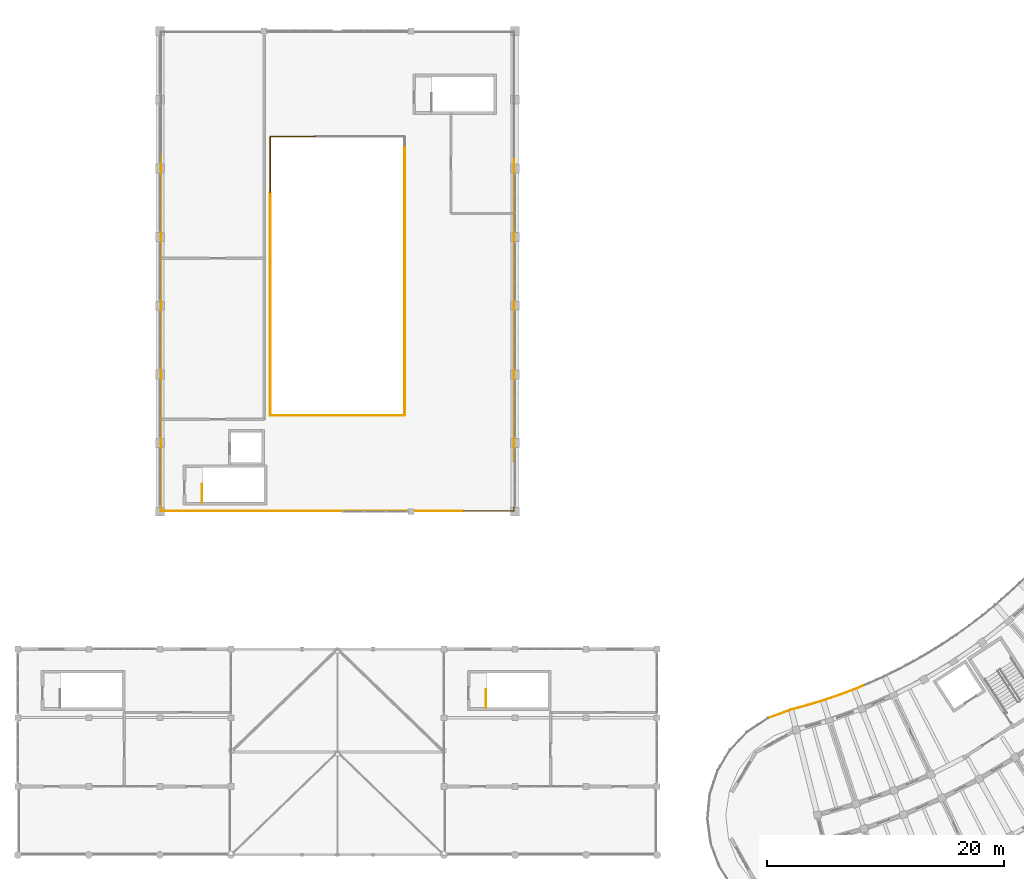
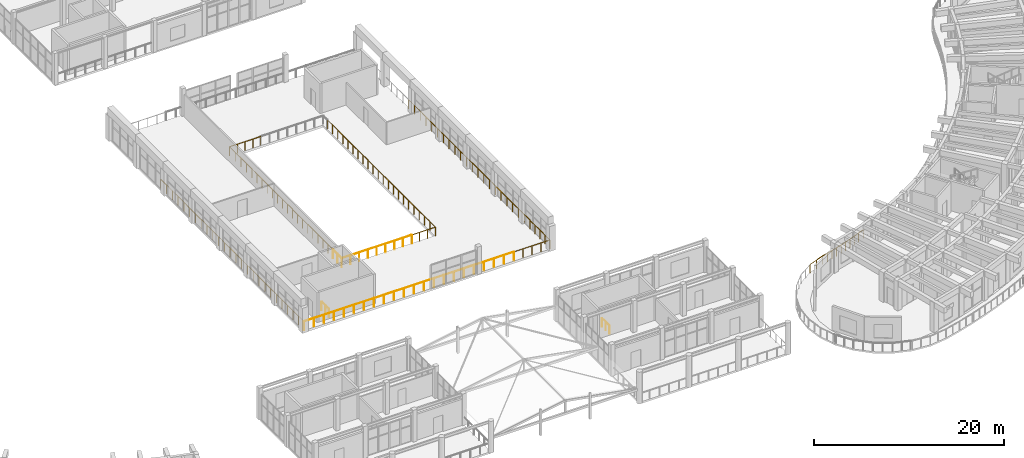
# One storey, part 112 of 128: 22 railings.
"""IFC4 building model written with IfcOpenShell, lengths in metres."""

from ifc_helpers import new_model, si_unit, direction, frame, origin, origin_2d, place, context, subcontext, project, spatial, circle, extrude, material, type_object, element, save


model = new_model("IFC4")

# Units and contexts
model_context = context("Model", 3, precision=1e-05, world=origin(), true_north=direction((0.0, 1.0)))
body_context = subcontext(model_context, "Body", "Model", "MODEL_VIEW")
ifc_project = project(units=[si_unit("LENGTHUNIT", "METRE"), si_unit("AREAUNIT", "SQUARE_METRE"), si_unit("VOLUMEUNIT", "CUBIC_METRE"), si_unit("PLANEANGLEUNIT", "RADIAN"), si_unit("MASSUNIT", "GRAM", prefix="KILO")], contexts=[model_context])

# Site, building, storey
site_placement = place(None, origin())
site = spatial("IfcSite", under=ifc_project, at=site_placement, CompositionType="ELEMENT")
building_placement = place(site_placement, origin())
building = spatial("IfcBuilding", under=site, at=building_placement, Name="Tanwirah Colonnade Gardens", CompositionType="ELEMENT")
storey_placement = place(building_placement, frame((0.0, 0.0, 4.760009765625)))
storey = spatial("IfcBuildingStorey", under=building, at=storey_placement, Name="L01", CompositionType="ELEMENT", Elevation=4.760009765625)

# Railings
ifc_material_1 = material(Name="Precast concrete C40/50", Category="concrete")
railing_type_1 = type_object("IfcRailingType", Name="BAL-EXT110", PredefinedType="BALUSTRADE", material=ifc_material_1)
railing_1_placement = place(storey_placement, frame((129.36962890625, 22.35888671875, 0.0)))
element("IfcRailing", 1, at=railing_1_placement, inside=storey, type_object=railing_type_1, Name="Block D L01 Balcony Ribbon Balustrade 1", PredefinedType="BALUSTRADE", context=body_context, shape_type="SweptSolid", body=[
    extrude(circle(Radius=0.02392578125, at=origin_2d()), frame((0.029296875, 0.010986328125, 1.076171875), z_axis=(0.937103821965, 0.349050751121, 0.0), x_axis=(-0.349050751121, 0.937103821965, 0.0)), (0.0, 0.0, 1.0), 2.029541015625),
    extrude(circle(Radius=0.02392578125, at=origin_2d()), frame((1.99072265625, 0.73828125, 1.076171875), z_axis=(0.96619995466, 0.257793808332, 0.0), x_axis=(-0.257793808332, 0.96619995466, 0.0)), (0.0, 0.0, 1.0), 1.32763671875),
    extrude(circle(Radius=0.02392578125, at=origin_2d()), frame((3.33642578125, 1.098388671875, 1.076171875), z_axis=(0.957270084886, 0.289195408993, 0.0), x_axis=(-0.289195408993, 0.957270084886, 0.0)), (0.0, 0.0, 1.0), 1.331298828125),
    extrude(circle(Radius=0.02392578125, at=origin_2d()), frame((4.6728515625, 1.503173828125, 1.076171875), z_axis=(0.947255234668, 0.320480140404, 0.0), x_axis=(-0.320480140404, 0.947255234668, 0.0)), (0.0, 0.0, 1.0), 1.33154296875),
    extrude(circle(Radius=0.02392578125, at=origin_2d()), frame((5.99560546875, 1.951904296875, 1.076171875), z_axis=(0.936314781462, 0.351161828813, 0.0), x_axis=(-0.351161828813, 0.936314781462, 0.0)), (0.0, 0.0, 1.0), 1.33154296875),
    extrude(circle(Radius=0.02392578125, at=origin_2d()), frame((7.302734375, 2.443359375, 1.076171875), z_axis=(0.924297734164, 0.38167223978, 0.0), x_axis=(-0.38167223978, 0.924297734164, 0.0)), (0.0, 0.0, 1.0), 0.7626953125),
    extrude(circle(Radius=0.02099609375, at=origin_2d()), origin(), (0.0, 0.0, 1.0), 1.049072265625),
    extrude(circle(Radius=0.02099609375, at=origin_2d()), frame((0.980224609375, 0.365234375, 0.0)), (0.0, 0.0, 1.0), 1.049072265625),
    extrude(circle(Radius=0.02099609375, at=origin_2d()), frame((1.96044921875, 0.730224609375, 0.0)), (0.0, 0.0, 1.0), 1.049072265625),
    extrude(circle(Radius=0.02099609375, at=origin_2d()), frame((2.632080078125, 0.909423828125, 0.0)), (0.0, 0.0, 1.0), 1.049072265625),
    extrude(circle(Radius=0.02099609375, at=origin_2d()), frame((3.3037109375, 1.088623046875, 0.0)), (0.0, 0.0, 1.0), 1.049072265625),
    extrude(circle(Radius=0.02099609375, at=origin_2d()), frame((3.9736328125, 1.291015625, 0.0)), (0.0, 0.0, 1.0), 1.049072265625),
    extrude(circle(Radius=0.02099609375, at=origin_2d()), frame((4.640625, 1.492431640625, 0.0)), (0.0, 0.0, 1.0), 1.049072265625),
    extrude(circle(Radius=0.02099609375, at=origin_2d()), frame((5.3037109375, 1.716552734375, 0.0)), (0.0, 0.0, 1.0), 1.049072265625),
    extrude(circle(Radius=0.02099609375, at=origin_2d()), frame((5.9638671875, 1.93994140625, 0.0)), (0.0, 0.0, 1.0), 1.049072265625),
    extrude(circle(Radius=0.02099609375, at=origin_2d()), frame((6.618896484375, 2.185546875, 0.0)), (0.0, 0.0, 1.0), 1.049072265625),
    extrude(circle(Radius=0.02099609375, at=origin_2d()), frame((7.271484375, 2.430419921875, 0.0)), (0.0, 0.0, 1.0), 1.049072265625),
    extrude(circle(Radius=0.02099609375, at=origin_2d()), frame((8.03662109375, 2.746337890625, 0.0)), (0.0, 0.0, 1.0), 1.049072265625),
])
ifc_material_2 = material(Name="Bronze architectural steel and laminated glass balustrade", Category="steel")
railing_type_2 = type_object("IfcRailingType", Name="BAL-GAL115", PredefinedType="BALUSTRADE", material=ifc_material_2)
railing_2_placement = place(storey_placement, frame((87.320068359375, 47.919921875, 0.0)))
element("IfcRailing", 2, at=railing_2_placement, inside=storey, type_object=railing_type_2, Name="Community Hall Mezzanine Void Balustrade 1", PredefinedType="BALUSTRADE", context=body_context, shape_type="SweptSolid", body=[
    extrude(circle(Radius=0.02392578125, at=origin_2d()), frame((0.03125, 0.0, 1.1259765625), z_axis=(1.0, 0.0, 0.0), x_axis=(0.0, 1.0, 0.0)), (0.0, 0.0, 1.0), 8.4375),
    extrude(circle(Radius=0.02099609375, at=origin_2d()), origin(), (0.0, 0.0, 1.0), 1.098876953125),
    extrude(circle(Radius=0.02099609375, at=origin_2d()), frame((1.0625, 0.0, 0.0)), (0.0, 0.0, 1.0), 1.098876953125),
    extrude(circle(Radius=0.02099609375, at=origin_2d()), frame((2.125, 0.0, 0.0)), (0.0, 0.0, 1.0), 1.098876953125),
    extrude(circle(Radius=0.02099609375, at=origin_2d()), frame((3.1875, 0.0, 0.0)), (0.0, 0.0, 1.0), 1.098876953125),
    extrude(circle(Radius=0.02099609375, at=origin_2d()), frame((4.25, 0.0, 0.0)), (0.0, 0.0, 1.0), 1.098876953125),
    extrude(circle(Radius=0.02099609375, at=origin_2d()), frame((5.3125, 0.0, 0.0)), (0.0, 0.0, 1.0), 1.098876953125),
    extrude(circle(Radius=0.02099609375, at=origin_2d()), frame((6.375, 0.0, 0.0)), (0.0, 0.0, 1.0), 1.098876953125),
    extrude(circle(Radius=0.02099609375, at=origin_2d()), frame((7.4375, 0.0, 0.0)), (0.0, 0.0, 1.0), 1.098876953125),
    extrude(circle(Radius=0.02099609375, at=origin_2d()), frame((8.5, 0.0, 0.0)), (0.0, 0.0, 1.0), 1.098876953125),
])
railing_3_placement = place(storey_placement, frame((95.820068359375, 47.919921875, 0.0)))
element("IfcRailing", 3, at=railing_3_placement, inside=storey, type_object=railing_type_2, Name="Community Hall Mezzanine Void Balustrade 2", PredefinedType="BALUSTRADE", context=body_context, shape_type="SweptSolid", body=[
    extrude(circle(Radius=0.02392578125, at=origin_2d()), frame((0.03125, 0.0, 1.1259765625), z_axis=(1.0, 0.0, 0.0), x_axis=(0.0, 1.0, 0.0)), (0.0, 0.0, 1.0), 2.79736328125),
    extrude(circle(Radius=0.02392578125, at=origin_2d()), frame((2.85986328125, 0.03125, 1.1259765625), z_axis=(0.0, 1.0, 0.0), x_axis=(-1.0, 0.0, 0.0)), (0.0, 0.0, 1.0), 5.57763671875),
    extrude(circle(Radius=0.02099609375, at=origin_2d()), origin(), (0.0, 0.0, 1.0), 1.098876953125),
    extrude(circle(Radius=0.02099609375, at=origin_2d()), frame((0.953369140625, 0.0, 0.0)), (0.0, 0.0, 1.0), 1.098876953125),
    extrude(circle(Radius=0.02099609375, at=origin_2d()), frame((1.906494140625, 0.0, 0.0)), (0.0, 0.0, 1.0), 1.098876953125),
    extrude(circle(Radius=0.02099609375, at=origin_2d()), frame((2.85986328125, 0.0, 0.0)), (0.0, 0.0, 1.0), 1.098876953125),
    extrude(circle(Radius=0.02099609375, at=origin_2d()), frame((2.85986328125, 1.1279296875, 0.0)), (0.0, 0.0, 1.0), 1.098876953125),
    extrude(circle(Radius=0.02099609375, at=origin_2d()), frame((2.85986328125, 2.256103515625, 0.0)), (0.0, 0.0, 1.0), 1.098876953125),
    extrude(circle(Radius=0.02099609375, at=origin_2d()), frame((2.85986328125, 3.384033203125, 0.0)), (0.0, 0.0, 1.0), 1.098876953125),
    extrude(circle(Radius=0.02099609375, at=origin_2d()), frame((2.85986328125, 4.51220703125, 0.0)), (0.0, 0.0, 1.0), 1.098876953125),
    extrude(circle(Radius=0.02099609375, at=origin_2d()), frame((2.85986328125, 5.64013671875, 0.0)), (0.0, 0.0, 1.0), 1.098876953125),
])
for number, where, name in (
    (4, (98.679931640625, 53.56005859375, 0.0), "Community Hall Mezzanine Void Balustrade 3"),
    (5, (98.679931640625, 62.06005859375, 0.0), "Community Hall Mezzanine Void Balustrade 4"),
):
    element("IfcRailing", number, at=place(storey_placement, frame(where)), inside=storey, type_object=railing_type_2, Name=name, PredefinedType="BALUSTRADE", context=body_context, shape_type="SweptSolid", body=[
        extrude(circle(Radius=0.02392578125, at=origin_2d()), frame((0.0, 0.03125, 1.1259765625), z_axis=(0.0, 1.0, 0.0), x_axis=(-1.0, 0.0, 0.0)), (0.0, 0.0, 1.0), 8.4375),
        extrude(circle(Radius=0.02099609375, at=origin_2d()), origin(), (0.0, 0.0, 1.0), 1.098876953125),
        extrude(circle(Radius=0.02099609375, at=origin_2d()), frame((0.0, 1.0625, 0.0)), (0.0, 0.0, 1.0), 1.098876953125),
        extrude(circle(Radius=0.02099609375, at=origin_2d()), frame((0.0, 2.125, 0.0)), (0.0, 0.0, 1.0), 1.098876953125),
        extrude(circle(Radius=0.02099609375, at=origin_2d()), frame((0.0, 3.1875, 0.0)), (0.0, 0.0, 1.0), 1.098876953125),
        extrude(circle(Radius=0.02099609375, at=origin_2d()), frame((0.0, 4.25, 0.0)), (0.0, 0.0, 1.0), 1.098876953125),
        extrude(circle(Radius=0.02099609375, at=origin_2d()), frame((0.0, 5.3125, 0.0)), (0.0, 0.0, 1.0), 1.098876953125),
        extrude(circle(Radius=0.02099609375, at=origin_2d()), frame((0.0, 6.375, 0.0)), (0.0, 0.0, 1.0), 1.098876953125),
        extrude(circle(Radius=0.02099609375, at=origin_2d()), frame((0.0, 7.4375, 0.0)), (0.0, 0.0, 1.0), 1.098876953125),
        extrude(circle(Radius=0.02099609375, at=origin_2d()), frame((0.0, 8.5, 0.0)), (0.0, 0.0, 1.0), 1.098876953125),
    ])
railing_4_placement = place(storey_placement, frame((91.10009765625, 71.47998046875, 0.0)))
element("IfcRailing", 6, at=railing_4_placement, inside=storey, type_object=railing_type_2, Name="Community Hall Mezzanine Void Balustrade 6", PredefinedType="BALUSTRADE", context=body_context, shape_type="SweptSolid", body=[
    extrude(circle(Radius=0.02392578125, at=origin_2d()), frame((-0.03125, 0.0, 1.1259765625), z_axis=(-1.0, 0.0, 0.0), x_axis=(0.0, -1.0, 0.0)), (0.0, 0.0, 1.0), 3.717529296875),
    extrude(circle(Radius=0.02392578125, at=origin_2d()), frame((-3.780029296875, -0.03125, 1.1259765625), z_axis=(0.0, -1.0, 0.0), x_axis=(1.0, 0.0, 0.0)), (0.0, 0.0, 1.0), 4.657470703125),
    extrude(circle(Radius=0.02099609375, at=origin_2d()), origin(), (0.0, 0.0, 1.0), 1.098876953125),
    extrude(circle(Radius=0.02099609375, at=origin_2d()), frame((-0.945068359375, 0.0, 0.0)), (0.0, 0.0, 1.0), 1.098876953125),
    extrude(circle(Radius=0.02099609375, at=origin_2d()), frame((-1.89013671875, 0.0, 0.0)), (0.0, 0.0, 1.0), 1.098876953125),
    extrude(circle(Radius=0.02099609375, at=origin_2d()), frame((-2.8349609375, 0.0, 0.0)), (0.0, 0.0, 1.0), 1.098876953125),
    extrude(circle(Radius=0.02099609375, at=origin_2d()), frame((-3.780029296875, 0.0, 0.0)), (0.0, 0.0, 1.0), 1.098876953125),
    extrude(circle(Radius=0.02099609375, at=origin_2d()), frame((-3.780029296875, -1.179931640625, 0.0)), (0.0, 0.0, 1.0), 1.098876953125),
    extrude(circle(Radius=0.02099609375, at=origin_2d()), frame((-3.780029296875, -2.35986328125, 0.0)), (0.0, 0.0, 1.0), 1.098876953125),
    extrude(circle(Radius=0.02099609375, at=origin_2d()), frame((-3.780029296875, -3.5400390625, 0.0)), (0.0, 0.0, 1.0), 1.098876953125),
    extrude(circle(Radius=0.02099609375, at=origin_2d()), frame((-3.780029296875, -4.719970703125, 0.0)), (0.0, 0.0, 1.0), 1.098876953125),
])
for number, where, name in (
    (7, (87.320068359375, 66.760009765625, 0.0), "Community Hall Mezzanine Void Balustrade 7"),
    (8, (87.320068359375, 58.260009765625, 0.0), "Community Hall Mezzanine Void Balustrade 8"),
):
    element("IfcRailing", number, at=place(storey_placement, frame(where)), inside=storey, type_object=railing_type_2, Name=name, PredefinedType="BALUSTRADE", context=body_context, shape_type="SweptSolid", body=[
        extrude(circle(Radius=0.02392578125, at=origin_2d()), frame((0.0, -0.03125, 1.1259765625), z_axis=(0.0, -1.0, 0.0), x_axis=(1.0, 0.0, 0.0)), (0.0, 0.0, 1.0), 8.4375),
        extrude(circle(Radius=0.02099609375, at=origin_2d()), origin(), (0.0, 0.0, 1.0), 1.098876953125),
        extrude(circle(Radius=0.02099609375, at=origin_2d()), frame((0.0, -1.0625, 0.0)), (0.0, 0.0, 1.0), 1.098876953125),
        extrude(circle(Radius=0.02099609375, at=origin_2d()), frame((0.0, -2.125, 0.0)), (0.0, 0.0, 1.0), 1.098876953125),
        extrude(circle(Radius=0.02099609375, at=origin_2d()), frame((0.0, -3.1875, 0.0)), (0.0, 0.0, 1.0), 1.098876953125),
        extrude(circle(Radius=0.02099609375, at=origin_2d()), frame((0.0, -4.25, 0.0)), (0.0, 0.0, 1.0), 1.098876953125),
        extrude(circle(Radius=0.02099609375, at=origin_2d()), frame((0.0, -5.3125, 0.0)), (0.0, 0.0, 1.0), 1.098876953125),
        extrude(circle(Radius=0.02099609375, at=origin_2d()), frame((0.0, -6.375, 0.0)), (0.0, 0.0, 1.0), 1.098876953125),
        extrude(circle(Radius=0.02099609375, at=origin_2d()), frame((0.0, -7.4375, 0.0)), (0.0, 0.0, 1.0), 1.098876953125),
        extrude(circle(Radius=0.02099609375, at=origin_2d()), frame((0.0, -8.5, 0.0)), (0.0, 0.0, 1.0), 1.098876953125),
    ])
railing_5_placement = place(storey_placement, frame((87.320068359375, 49.760009765625, 0.0)))
element("IfcRailing", 9, at=railing_5_placement, inside=storey, type_object=railing_type_2, Name="Community Hall Mezzanine Void Balustrade 9", PredefinedType="BALUSTRADE", context=body_context, shape_type="SweptSolid", body=[
    extrude(circle(Radius=0.02392578125, at=origin_2d()), frame((0.0, -0.03125, 1.1259765625), z_axis=(0.0, -1.0, 0.0), x_axis=(1.0, 0.0, 0.0)), (0.0, 0.0, 1.0), 1.777587890625),
    extrude(circle(Radius=0.02099609375, at=origin_2d()), origin(), (0.0, 0.0, 1.0), 1.098876953125),
    extrude(circle(Radius=0.02099609375, at=origin_2d()), frame((0.0, -0.919921875, 0.0)), (0.0, 0.0, 1.0), 1.098876953125),
    extrude(circle(Radius=0.02099609375, at=origin_2d()), frame((0.0, -1.840087890625, 0.0)), (0.0, 0.0, 1.0), 1.098876953125),
])
for number, where, name in (
    (10, (78.080078125, 39.8798828125, 0.0), "Community Hall L01 Perimeter Gallery Balustrade 1"),
    (11, (86.580078125, 39.8798828125, 0.0), "Community Hall L01 Perimeter Gallery Balustrade 2"),
    (12, (95.080078125, 39.8798828125, 0.0), "Community Hall L01 Perimeter Gallery Balustrade 3"),
):
    element("IfcRailing", number, at=place(storey_placement, frame(where)), inside=storey, type_object=railing_type_2, Name=name, PredefinedType="BALUSTRADE", context=body_context, shape_type="SweptSolid", body=[
        extrude(circle(Radius=0.02392578125, at=origin_2d()), frame((0.03125, 0.0, 1.1259765625), z_axis=(1.0, 0.0, 0.0), x_axis=(0.0, 1.0, 0.0)), (0.0, 0.0, 1.0), 8.4375),
        extrude(circle(Radius=0.02099609375, at=origin_2d()), origin(), (0.0, 0.0, 1.0), 1.098876953125),
        extrude(circle(Radius=0.02099609375, at=origin_2d()), frame((1.21435546875, 0.0, 0.0)), (0.0, 0.0, 1.0), 1.098876953125),
        extrude(circle(Radius=0.02099609375, at=origin_2d()), frame((2.428466796875, 0.0, 0.0)), (0.0, 0.0, 1.0), 1.098876953125),
        extrude(circle(Radius=0.02099609375, at=origin_2d()), frame((3.642822265625, 0.0, 0.0)), (0.0, 0.0, 1.0), 1.098876953125),
        extrude(circle(Radius=0.02099609375, at=origin_2d()), frame((4.857177734375, 0.0, 0.0)), (0.0, 0.0, 1.0), 1.098876953125),
        extrude(circle(Radius=0.02099609375, at=origin_2d()), frame((6.071533203125, 0.0, 0.0)), (0.0, 0.0, 1.0), 1.098876953125),
        extrude(circle(Radius=0.02099609375, at=origin_2d()), frame((7.28564453125, 0.0, 0.0)), (0.0, 0.0, 1.0), 1.098876953125),
        extrude(circle(Radius=0.02099609375, at=origin_2d()), frame((8.5, 0.0, 0.0)), (0.0, 0.0, 1.0), 1.098876953125),
    ])
railing_6_placement = place(storey_placement, frame((103.580078125, 39.8798828125, 0.0)))
element("IfcRailing", 13, at=railing_6_placement, inside=storey, type_object=railing_type_2, Name="Community Hall L01 Perimeter Gallery Balustrade 4", PredefinedType="BALUSTRADE", context=body_context, shape_type="SweptSolid", body=[
    extrude(circle(Radius=0.02392578125, at=origin_2d()), frame((0.03125, 0.0, 1.1259765625), z_axis=(1.0, 0.0, 0.0), x_axis=(0.0, 1.0, 0.0)), (0.0, 0.0, 1.0), 4.27734375),
    extrude(circle(Radius=0.02392578125, at=origin_2d()), frame((4.33984375, 0.03125, 1.1259765625), z_axis=(0.0, 1.0, 0.0), x_axis=(-1.0, 0.0, 0.0)), (0.0, 0.0, 1.0), 4.09765625),
    extrude(circle(Radius=0.02099609375, at=origin_2d()), origin(), (0.0, 0.0, 1.0), 1.098876953125),
    extrude(circle(Radius=0.02099609375, at=origin_2d()), frame((1.0849609375, 0.0, 0.0)), (0.0, 0.0, 1.0), 1.098876953125),
    extrude(circle(Radius=0.02099609375, at=origin_2d()), frame((2.169921875, 0.0, 0.0)), (0.0, 0.0, 1.0), 1.098876953125),
    extrude(circle(Radius=0.02099609375, at=origin_2d()), frame((3.2548828125, 0.0, 0.0)), (0.0, 0.0, 1.0), 1.098876953125),
    extrude(circle(Radius=0.02099609375, at=origin_2d()), frame((4.33984375, 0.0, 0.0)), (0.0, 0.0, 1.0), 1.098876953125),
    extrude(circle(Radius=0.02099609375, at=origin_2d()), frame((4.33984375, 1.0400390625, 0.0)), (0.0, 0.0, 1.0), 1.098876953125),
    extrude(circle(Radius=0.02099609375, at=origin_2d()), frame((4.33984375, 2.080078125, 0.0)), (0.0, 0.0, 1.0), 1.098876953125),
    extrude(circle(Radius=0.02099609375, at=origin_2d()), frame((4.33984375, 3.1201171875, 0.0)), (0.0, 0.0, 1.0), 1.098876953125),
    extrude(circle(Radius=0.02099609375, at=origin_2d()), frame((4.33984375, 4.16015625, 0.0)), (0.0, 0.0, 1.0), 1.098876953125),
])
for number, where, name in (
    (14, (107.919921875, 44.0400390625, 0.0), "Community Hall L01 Perimeter Gallery Balustrade 5"),
    (15, (107.919921875, 52.5400390625, 0.0), "Community Hall L01 Perimeter Gallery Balustrade 6"),
    (16, (107.919921875, 61.0400390625, 0.0), "Community Hall L01 Perimeter Gallery Balustrade 7"),
):
    element("IfcRailing", number, at=place(storey_placement, frame(where)), inside=storey, type_object=railing_type_2, Name=name, PredefinedType="BALUSTRADE", context=body_context, shape_type="SweptSolid", body=[
        extrude(circle(Radius=0.02392578125, at=origin_2d()), frame((0.0, 0.03125, 1.1259765625), z_axis=(0.0, 1.0, 0.0), x_axis=(-1.0, 0.0, 0.0)), (0.0, 0.0, 1.0), 8.4375),
        extrude(circle(Radius=0.02099609375, at=origin_2d()), origin(), (0.0, 0.0, 1.0), 1.098876953125),
        extrude(circle(Radius=0.02099609375, at=origin_2d()), frame((0.0, 1.21435546875, 0.0)), (0.0, 0.0, 1.0), 1.098876953125),
        extrude(circle(Radius=0.02099609375, at=origin_2d()), frame((0.0, 2.428466796875, 0.0)), (0.0, 0.0, 1.0), 1.098876953125),
        extrude(circle(Radius=0.02099609375, at=origin_2d()), frame((0.0, 3.642822265625, 0.0)), (0.0, 0.0, 1.0), 1.098876953125),
        extrude(circle(Radius=0.02099609375, at=origin_2d()), frame((0.0, 4.857177734375, 0.0)), (0.0, 0.0, 1.0), 1.098876953125),
        extrude(circle(Radius=0.02099609375, at=origin_2d()), frame((0.0, 6.071533203125, 0.0)), (0.0, 0.0, 1.0), 1.098876953125),
        extrude(circle(Radius=0.02099609375, at=origin_2d()), frame((0.0, 7.28564453125, 0.0)), (0.0, 0.0, 1.0), 1.098876953125),
        extrude(circle(Radius=0.02099609375, at=origin_2d()), frame((0.0, 8.5, 0.0)), (0.0, 0.0, 1.0), 1.098876953125),
    ])
for number, where, name in (
    (17, (78.080078125, 69.93994140625, 0.0), "Community Hall L01 Perimeter Gallery Balustrade 14"),
    (18, (78.080078125, 61.43994140625, 0.0), "Community Hall L01 Perimeter Gallery Balustrade 15"),
    (19, (78.080078125, 52.93994140625, 0.0), "Community Hall L01 Perimeter Gallery Balustrade 16"),
):
    element("IfcRailing", number, at=place(storey_placement, frame(where)), inside=storey, type_object=railing_type_2, Name=name, PredefinedType="BALUSTRADE", context=body_context, shape_type="SweptSolid", body=[
        extrude(circle(Radius=0.02392578125, at=origin_2d()), frame((0.0, -0.03125, 1.1259765625), z_axis=(0.0, -1.0, 0.0), x_axis=(1.0, 0.0, 0.0)), (0.0, 0.0, 1.0), 8.4375),
        extrude(circle(Radius=0.02099609375, at=origin_2d()), origin(), (0.0, 0.0, 1.0), 1.098876953125),
        extrude(circle(Radius=0.02099609375, at=origin_2d()), frame((0.0, -1.21435546875, 0.0)), (0.0, 0.0, 1.0), 1.098876953125),
        extrude(circle(Radius=0.02099609375, at=origin_2d()), frame((0.0, -2.428466796875, 0.0)), (0.0, 0.0, 1.0), 1.098876953125),
        extrude(circle(Radius=0.02099609375, at=origin_2d()), frame((0.0, -3.642822265625, 0.0)), (0.0, 0.0, 1.0), 1.098876953125),
        extrude(circle(Radius=0.02099609375, at=origin_2d()), frame((0.0, -4.857177734375, 0.0)), (0.0, 0.0, 1.0), 1.098876953125),
        extrude(circle(Radius=0.02099609375, at=origin_2d()), frame((0.0, -6.071533203125, 0.0)), (0.0, 0.0, 1.0), 1.098876953125),
        extrude(circle(Radius=0.02099609375, at=origin_2d()), frame((0.0, -7.28564453125, 0.0)), (0.0, 0.0, 1.0), 1.098876953125),
        extrude(circle(Radius=0.02099609375, at=origin_2d()), frame((0.0, -8.5, 0.0)), (0.0, 0.0, 1.0), 1.098876953125),
    ])
railing_7_placement = place(storey_placement, frame((78.080078125, 44.43994140625, 0.0)))
element("IfcRailing", 20, at=railing_7_placement, inside=storey, type_object=railing_type_2, Name="Community Hall L01 Perimeter Gallery Balustrade 17", PredefinedType="BALUSTRADE", context=body_context, shape_type="SweptSolid", body=[
    extrude(circle(Radius=0.02392578125, at=origin_2d()), frame((0.0, -0.03125, 1.1259765625), z_axis=(0.0, -1.0, 0.0), x_axis=(1.0, 0.0, 0.0)), (0.0, 0.0, 1.0), 4.49755859375),
    extrude(circle(Radius=0.02099609375, at=origin_2d()), origin(), (0.0, 0.0, 1.0), 1.098876953125),
    extrude(circle(Radius=0.02099609375, at=origin_2d()), frame((0.0, -1.14013671875, 0.0)), (0.0, 0.0, 1.0), 1.098876953125),
    extrude(circle(Radius=0.02099609375, at=origin_2d()), frame((0.0, -2.280029296875, 0.0)), (0.0, 0.0, 1.0), 1.098876953125),
    extrude(circle(Radius=0.02099609375, at=origin_2d()), frame((0.0, -3.419921875, 0.0)), (0.0, 0.0, 1.0), 1.098876953125),
    extrude(circle(Radius=0.02099609375, at=origin_2d()), frame((0.0, -4.56005859375, 0.0)), (0.0, 0.0, 1.0), 1.098876953125),
])
ifc_material_3 = material(Name="Powder-coated galvanized steel", Category="steel")
railing_type_3 = type_object("IfcRailingType", Name="GRD-ST110", PredefinedType="GUARDRAIL", material=ifc_material_3)
railing_8_placement = place(storey_placement, frame((81.550048828125, 40.60009765625, 0.0)))
element("IfcRailing", 21, at=railing_8_placement, inside=storey, type_object=railing_type_3, Name="L01 ST-H1 top well guard 1", PredefinedType="GUARDRAIL", context=body_context, shape_type="SweptSolid", body=[
    extrude(circle(Radius=0.02392578125, at=origin_2d()), frame((0.0, 0.03125, 1.076171875), z_axis=(0.0, 1.0, 0.0), x_axis=(-1.0, 0.0, 0.0)), (0.0, 0.0, 1.0), 1.477294921875),
    extrude(circle(Radius=0.02099609375, at=origin_2d()), origin(), (0.0, 0.0, 1.0), 1.049072265625),
    extrude(circle(Radius=0.02099609375, at=origin_2d()), frame((0.0, 0.77001953125, 0.0)), (0.0, 0.0, 1.0), 1.049072265625),
    extrude(circle(Radius=0.02099609375, at=origin_2d()), frame((0.0, 1.539794921875, 0.0)), (0.0, 0.0, 1.0), 1.049072265625),
])
railing_9_placement = place(storey_placement, frame((105.550048828125, 23.25, 0.0)))
element("IfcRailing", 22, at=railing_9_placement, inside=storey, type_object=railing_type_3, Name="L01 ST-SE top well guard 1", PredefinedType="GUARDRAIL", context=body_context, shape_type="SweptSolid", body=[
    extrude(circle(Radius=0.02392578125, at=origin_2d()), frame((0.0, 0.03125, 1.076171875), z_axis=(0.0, 1.0, 0.0), x_axis=(-1.0, 0.0, 0.0)), (0.0, 0.0, 1.0), 1.4775390625),
    extrude(circle(Radius=0.02099609375, at=origin_2d()), origin(), (0.0, 0.0, 1.0), 1.049072265625),
    extrude(circle(Radius=0.02099609375, at=origin_2d()), frame((0.0, 0.77001953125, 0.0)), (0.0, 0.0, 1.0), 1.049072265625),
    extrude(circle(Radius=0.02099609375, at=origin_2d()), frame((0.0, 1.5400390625, 0.0)), (0.0, 0.0, 1.0), 1.049072265625),
])

save(model, "model.ifc")
